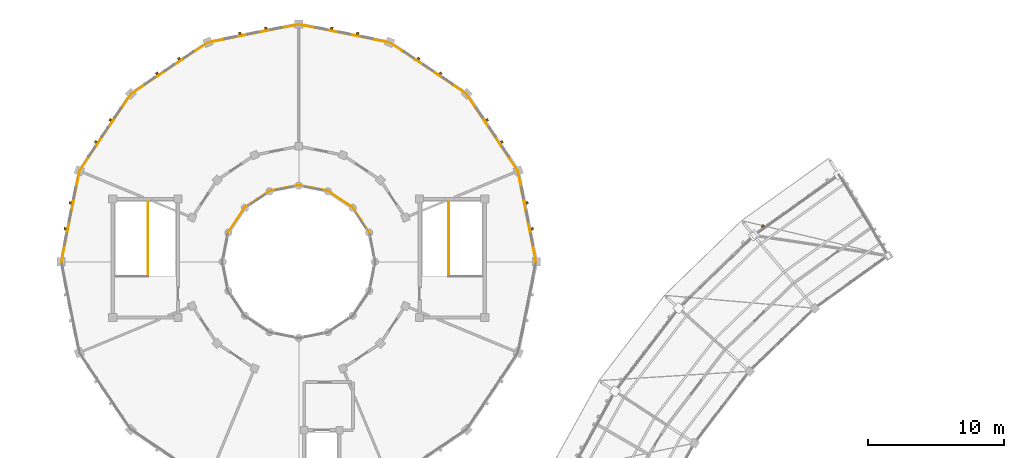
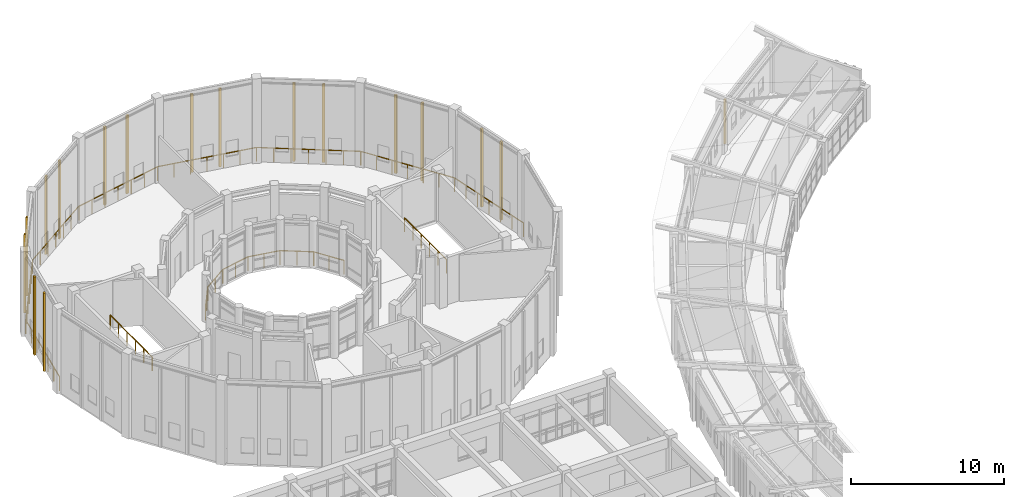
# One storey, part 144 of 149: 17 coverings, 16 railings.
"""IFC4 building model written with IfcOpenShell, lengths in metres."""

from ifc_helpers import new_model, si_unit, direction, frame, origin, origin_2d, place, context, subcontext, project, spatial, rectangle, circle, extrude, material, layer, layer_set, type_object, element, save


model = new_model("IFC4")

# Units and contexts
model_context = context("Model", 3, precision=1e-05, world=origin(), true_north=direction((0.0, 1.0)))
body_context = subcontext(model_context, "Body", "Model", "MODEL_VIEW")
ifc_project = project(units=[si_unit("LENGTHUNIT", "METRE"), si_unit("AREAUNIT", "SQUARE_METRE"), si_unit("VOLUMEUNIT", "CUBIC_METRE"), si_unit("PLANEANGLEUNIT", "RADIAN"), si_unit("MASSUNIT", "GRAM", prefix="KILO")], contexts=[model_context])

# Site, building, storey
site_placement = place(None, origin())
site = spatial("IfcSite", under=ifc_project, at=site_placement, CompositionType="ELEMENT")
building_placement = place(site_placement, origin())
building = spatial("IfcBuilding", under=site, at=building_placement, Name="Celadon Cloister-Ring School", CompositionType="ELEMENT")
storey_placement = place(building_placement, frame((0.0, 0.0, 12.5)))
storey = spatial("IfcBuildingStorey", under=building, at=storey_placement, Name="L03", CompositionType="ELEMENT", Elevation=12.5)

# Coverings
ifc_material_1 = material(Name="Perforated terracotta clay brick masonry", Category="masonry")
ifc_layer = layer(ifc_material_1, 0.139892578125)
ifc_layer_set = layer_set([ifc_layer], Name="Perforated terracotta clay brick masonry")
covering_type = type_object("IfcCoveringType", Name="CV-SC1", PredefinedType="CLADDING", material=ifc_layer_set)
covering_placement = place(storey_placement, frame((54.35400390625, 99.6240234375, -0.00048828125), z_axis=(0.0, 0.0, 1.0), x_axis=(0.813415600856, 0.581682955126, 0.0)))
element("IfcCovering", 1, at=covering_placement, inside=storey, type_object=covering_type, Name="Brick Screen Rib 0334", PredefinedType="CLADDING", context=body_context, shape_type="SweptSolid", body=[
    extrude(rectangle(XDim=0.179931640625, YDim=0.139892578125, at=origin_2d()), origin(), (0.0, 0.0, 1.0), 3.51708984375),
])
for number, where, z_axis, x_axis, name in (
    (2, (37.01708984375, 101.339111328125, 0.0), (0.0, 0.0, 1.0), (0.195141675546, -0.980775064153, 0.0), "Brick Screen Rib 0536"),
    (3, (37.39794921875, 99.427001953125, 0.0), (0.0, 0.0, 1.0), (0.195141675546, -0.980775064153, 0.0), "Brick Screen Rib 0537"),
    (4, (34.075927734375, 107.444091796875, 0.0), (0.0, 0.0, 1.0), (0.55567181205, -0.831401730389, 0.0), "Brick Screen Rib 0538"),
    (5, (35.159912109375, 105.822998046875, 0.0), (0.0, 0.0, 1.0), (0.55567181205, -0.831401730389, 0.0), "Brick Screen Rib 0539"),
    (6, (29.02294921875, 111.9599609375, 0.0), (0.0, 0.0, 1.0), (0.831401730389, -0.55567181205, 0.0), "Brick Screen Rib 0540"),
    (7, (30.64404296875, 110.8759765625, 0.0), (0.0, 0.0, 1.0), (0.831401730389, -0.55567181205, 0.0), "Brick Screen Rib 0541"),
    (8, (22.626953125, 114.197998046875, 0.0), (0.0, 0.0, 1.0), (0.980775064153, -0.195141675546, 0.0), "Brick Screen Rib 0542"),
    (9, (24.5390625, 113.81689453125, 0.0), (0.0, 0.0, 1.0), (0.980775064153, -0.195141675546, 0.0), "Brick Screen Rib 0543"),
    (10, (15.861083984375, 113.81689453125, 0.0), (0.0, 0.0, 1.0), (0.980775064153, 0.195141675546, 0.0), "Brick Screen Rib 0544"),
    (11, (17.77294921875, 114.197998046875, 0.0), (0.0, 0.0, 1.0), (0.980775064153, 0.195141675546, 0.0), "Brick Screen Rib 0545"),
    (12, (9.756103515625, 110.8759765625, 0.0), (0.0, 0.0, 1.0), (0.831401730389, 0.55567181205, 0.0), "Brick Screen Rib 0546"),
    (13, (11.376953125, 111.9599609375, 0.0), (0.0, 0.0, 1.0), (0.831401730389, 0.55567181205, 0.0), "Brick Screen Rib 0547"),
    (14, (5.239990234375, 105.822998046875, 0.0), (0.0, 0.0, 1.0), (0.55567181205, 0.831401730389, 0.0), "Brick Screen Rib 0548"),
    (15, (6.323974609375, 107.444091796875, 0.0), (0.0, 0.0, 1.0), (0.55567181205, 0.831401730389, 0.0), "Brick Screen Rib 0549"),
    (16, (3.001953125, 99.427001953125, 0.0), (0.0, 0.0, 1.0), (0.195141675546, 0.980775064153, 0.0), "Brick Screen Rib 0550"),
    (17, (3.383056640625, 101.339111328125, 0.0), (0.0, 0.0, 1.0), (0.195141675546, 0.980775064153, 0.0), "Brick Screen Rib 0551"),
):
    element("IfcCovering", number, at=place(storey_placement, frame(where, z_axis=z_axis, x_axis=x_axis)), inside=storey, type_object=covering_type, Name=name, PredefinedType="CLADDING", context=body_context, shape_type="SweptSolid", body=[
        extrude(rectangle(XDim=0.179931640625, YDim=0.139892578125, at=origin_2d()), origin(), (0.0, 0.0, 1.0), 6.22998046875),
    ])

# Railings
ifc_material_2 = material(Name="Structural steel S355JR", Category="steel")
railing_type_1 = type_object("IfcRailingType", Name="RL-BL1", PredefinedType="BALUSTRADE", material=ifc_material_2)
railing_1_placement = place(storey_placement, frame((37.659912109375, 97.0, 0.0)))
element("IfcRailing", 18, at=railing_1_placement, inside=storey, type_object=railing_type_1, Name="Terrace Balustrade 0281", PredefinedType="BALUSTRADE", context=body_context, shape_type="SweptSolid", body=[
    extrude(circle(Radius=0.02392578125, at=origin_2d()), frame((0.0, 0.0, 1.09619140625), z_axis=(-0.19505472673, 0.980792360074, 0.0), x_axis=(-0.980792360074, -0.19505472673, 0.0)), (0.0, 0.0, 1.0), 6.812744140625),
    extrude(circle(Radius=0.02099609375, at=origin_2d()), origin(), (0.0, 0.0, 1.0), 1.072021484375),
    extrude(circle(Radius=0.02099609375, at=origin_2d()), frame((-0.221435546875, 1.11376953125, 0.0)), (0.0, 0.0, 1.0), 1.072021484375),
    extrude(circle(Radius=0.02099609375, at=origin_2d()), frame((-0.44287109375, 2.227294921875, 0.0)), (0.0, 0.0, 1.0), 1.072021484375),
    extrude(circle(Radius=0.02099609375, at=origin_2d()), frame((-0.66455078125, 3.3408203125, 0.0)), (0.0, 0.0, 1.0), 1.072021484375),
    extrude(circle(Radius=0.02099609375, at=origin_2d()), frame((-0.885986328125, 4.45458984375, 0.0)), (0.0, 0.0, 1.0), 1.072021484375),
    extrude(circle(Radius=0.02099609375, at=origin_2d()), frame((-1.107421875, 5.568359375, 0.0)), (0.0, 0.0, 1.0), 1.072021484375),
    extrude(circle(Radius=0.02099609375, at=origin_2d()), frame((-1.328857421875, 6.681884765625, 0.0)), (0.0, 0.0, 1.0), 1.072021484375),
])
railing_2_placement = place(storey_placement, frame((36.3310546875, 103.681884765625, 0.0)))
element("IfcRailing", 19, at=railing_2_placement, inside=storey, type_object=railing_type_1, Name="Terrace Balustrade 0282", PredefinedType="BALUSTRADE", context=body_context, shape_type="SweptSolid", body=[
    extrude(circle(Radius=0.02392578125, at=origin_2d()), frame((0.0, 0.0, 1.09619140625), z_axis=(-0.555626116577, 0.831432269387, 0.0), x_axis=(-0.831432269387, -0.555626116577, 0.0)), (0.0, 0.0, 1.0), 6.8125),
    extrude(circle(Radius=0.02099609375, at=origin_2d()), origin(), (0.0, 0.0, 1.0), 1.072021484375),
    extrude(circle(Radius=0.02099609375, at=origin_2d()), frame((-0.630859375, 0.944091796875, 0.0)), (0.0, 0.0, 1.0), 1.072021484375),
    extrude(circle(Radius=0.02099609375, at=origin_2d()), frame((-1.26171875, 1.887939453125, 0.0)), (0.0, 0.0, 1.0), 1.072021484375),
    extrude(circle(Radius=0.02099609375, at=origin_2d()), frame((-1.892578125, 2.83203125, 0.0)), (0.0, 0.0, 1.0), 1.072021484375),
    extrude(circle(Radius=0.02099609375, at=origin_2d()), frame((-2.5234375, 3.776123046875, 0.0)), (0.0, 0.0, 1.0), 1.072021484375),
    extrude(circle(Radius=0.02099609375, at=origin_2d()), frame((-3.154296875, 4.719970703125, 0.0)), (0.0, 0.0, 1.0), 1.072021484375),
    extrude(circle(Radius=0.02099609375, at=origin_2d()), frame((-3.78515625, 5.6640625, 0.0)), (0.0, 0.0, 1.0), 1.072021484375),
])
railing_3_placement = place(storey_placement, frame((32.5458984375, 109.345947265625, 0.0)))
element("IfcRailing", 20, at=railing_3_placement, inside=storey, type_object=railing_type_1, Name="Terrace Balustrade 0283", PredefinedType="BALUSTRADE", context=body_context, shape_type="SweptSolid", body=[
    extrude(circle(Radius=0.02392578125, at=origin_2d()), frame((0.0, 0.0, 1.09619140625), z_axis=(-0.831421205096, 0.555642672693, 0.0), x_axis=(-0.555642672693, -0.831421205096, 0.0)), (0.0, 0.0, 1.0), 6.812255859375),
    extrude(circle(Radius=0.02099609375, at=origin_2d()), origin(), (0.0, 0.0, 1.0), 1.072021484375),
    extrude(circle(Radius=0.02099609375, at=origin_2d()), frame((-0.94384765625, 0.630859375, 0.0)), (0.0, 0.0, 1.0), 1.072021484375),
    extrude(circle(Radius=0.02099609375, at=origin_2d()), frame((-1.887939453125, 1.26171875, 0.0)), (0.0, 0.0, 1.0), 1.072021484375),
    extrude(circle(Radius=0.02099609375, at=origin_2d()), frame((-2.83203125, 1.892578125, 0.0)), (0.0, 0.0, 1.0), 1.072021484375),
    extrude(circle(Radius=0.02099609375, at=origin_2d()), frame((-3.77587890625, 2.5234375, 0.0)), (0.0, 0.0, 1.0), 1.072021484375),
    extrude(circle(Radius=0.02099609375, at=origin_2d()), frame((-4.7197265625, 3.154296875, 0.0)), (0.0, 0.0, 1.0), 1.072021484375),
    extrude(circle(Radius=0.02099609375, at=origin_2d()), frame((-5.663818359375, 3.78515625, 0.0)), (0.0, 0.0, 1.0), 1.072021484375),
])
railing_4_placement = place(storey_placement, frame((26.882080078125, 113.131103515625, 0.0)))
element("IfcRailing", 21, at=railing_4_placement, inside=storey, type_object=railing_type_1, Name="Terrace Balustrade 0284", PredefinedType="BALUSTRADE", context=body_context, shape_type="SweptSolid", body=[
    extrude(circle(Radius=0.02392578125, at=origin_2d()), frame((0.0, 0.0, 1.09619140625), z_axis=(-0.980793723427, 0.195047871268, 0.0), x_axis=(-0.195047871268, -0.980793723427, 0.0)), (0.0, 0.0, 1.0), 6.81298828125),
    extrude(circle(Radius=0.02099609375, at=origin_2d()), origin(), (0.0, 0.0, 1.0), 1.072021484375),
    extrude(circle(Radius=0.02099609375, at=origin_2d()), frame((-1.11376953125, 0.221435546875, 0.0)), (0.0, 0.0, 1.0), 1.072021484375),
    extrude(circle(Radius=0.02099609375, at=origin_2d()), frame((-2.227294921875, 0.44287109375, 0.0)), (0.0, 0.0, 1.0), 1.072021484375),
    extrude(circle(Radius=0.02099609375, at=origin_2d()), frame((-3.341064453125, 0.66455078125, 0.0)), (0.0, 0.0, 1.0), 1.072021484375),
    extrude(circle(Radius=0.02099609375, at=origin_2d()), frame((-4.454833984375, 0.885986328125, 0.0)), (0.0, 0.0, 1.0), 1.072021484375),
    extrude(circle(Radius=0.02099609375, at=origin_2d()), frame((-5.568359375, 1.107421875, 0.0)), (0.0, 0.0, 1.0), 1.072021484375),
    extrude(circle(Radius=0.02099609375, at=origin_2d()), frame((-6.68212890625, 1.328857421875, 0.0)), (0.0, 0.0, 1.0), 1.072021484375),
])
railing_5_placement = place(storey_placement, frame((20.199951171875, 114.4599609375, 0.0)))
element("IfcRailing", 22, at=railing_5_placement, inside=storey, type_object=railing_type_1, Name="Terrace Balustrade 0285", PredefinedType="BALUSTRADE", context=body_context, shape_type="SweptSolid", body=[
    extrude(circle(Radius=0.02392578125, at=origin_2d()), frame((0.0, 0.0, 1.09619140625), z_axis=(-0.980792360074, -0.19505472673, 0.0), x_axis=(0.19505472673, -0.980792360074, 0.0)), (0.0, 0.0, 1.0), 6.812744140625),
    extrude(circle(Radius=0.02099609375, at=origin_2d()), origin(), (0.0, 0.0, 1.0), 1.072021484375),
    extrude(circle(Radius=0.02099609375, at=origin_2d()), frame((-1.11376953125, -0.221435546875, 0.0)), (0.0, 0.0, 1.0), 1.072021484375),
    extrude(circle(Radius=0.02099609375, at=origin_2d()), frame((-2.227294921875, -0.44287109375, 0.0)), (0.0, 0.0, 1.0), 1.072021484375),
    extrude(circle(Radius=0.02099609375, at=origin_2d()), frame((-3.3408203125, -0.66455078125, 0.0)), (0.0, 0.0, 1.0), 1.072021484375),
    extrude(circle(Radius=0.02099609375, at=origin_2d()), frame((-4.45458984375, -0.885986328125, 0.0)), (0.0, 0.0, 1.0), 1.072021484375),
    extrude(circle(Radius=0.02099609375, at=origin_2d()), frame((-5.568359375, -1.107421875, 0.0)), (0.0, 0.0, 1.0), 1.072021484375),
    extrude(circle(Radius=0.02099609375, at=origin_2d()), frame((-6.681884765625, -1.328857421875, 0.0)), (0.0, 0.0, 1.0), 1.072021484375),
])
railing_6_placement = place(storey_placement, frame((13.51806640625, 113.131103515625, 0.0)))
element("IfcRailing", 23, at=railing_6_placement, inside=storey, type_object=railing_type_1, Name="Terrace Balustrade 0286", PredefinedType="BALUSTRADE", context=body_context, shape_type="SweptSolid", body=[
    extrude(circle(Radius=0.02392578125, at=origin_2d()), frame((0.0, 0.0, 1.09619140625), z_axis=(-0.831432269387, -0.555626116577, 0.0), x_axis=(0.555626116577, -0.831432269387, 0.0)), (0.0, 0.0, 1.0), 6.8125),
    extrude(circle(Radius=0.02099609375, at=origin_2d()), origin(), (0.0, 0.0, 1.0), 1.072021484375),
    extrude(circle(Radius=0.02099609375, at=origin_2d()), frame((-0.944091796875, -0.630859375, 0.0)), (0.0, 0.0, 1.0), 1.072021484375),
    extrude(circle(Radius=0.02099609375, at=origin_2d()), frame((-1.887939453125, -1.26171875, 0.0)), (0.0, 0.0, 1.0), 1.072021484375),
    extrude(circle(Radius=0.02099609375, at=origin_2d()), frame((-2.83203125, -1.892578125, 0.0)), (0.0, 0.0, 1.0), 1.072021484375),
    extrude(circle(Radius=0.02099609375, at=origin_2d()), frame((-3.776123046875, -2.5234375, 0.0)), (0.0, 0.0, 1.0), 1.072021484375),
    extrude(circle(Radius=0.02099609375, at=origin_2d()), frame((-4.719970703125, -3.154296875, 0.0)), (0.0, 0.0, 1.0), 1.072021484375),
    extrude(circle(Radius=0.02099609375, at=origin_2d()), frame((-5.6640625, -3.78515625, 0.0)), (0.0, 0.0, 1.0), 1.072021484375),
])
railing_7_placement = place(storey_placement, frame((7.85400390625, 109.345947265625, 0.0)))
element("IfcRailing", 24, at=railing_7_placement, inside=storey, type_object=railing_type_1, Name="Terrace Balustrade 0287", PredefinedType="BALUSTRADE", context=body_context, shape_type="SweptSolid", body=[
    extrude(circle(Radius=0.02392578125, at=origin_2d()), frame((0.0, 0.0, 1.09619140625), z_axis=(-0.555601342036, -0.831448825081, 0.0), x_axis=(0.831448825081, -0.555601342036, 0.0)), (0.0, 0.0, 1.0), 6.812255859375),
    extrude(circle(Radius=0.02099609375, at=origin_2d()), origin(), (0.0, 0.0, 1.0), 1.072021484375),
    extrude(circle(Radius=0.02099609375, at=origin_2d()), frame((-0.630859375, -0.944091796875, 0.0)), (0.0, 0.0, 1.0), 1.072021484375),
    extrude(circle(Radius=0.02099609375, at=origin_2d()), frame((-1.26171875, -1.887939453125, 0.0)), (0.0, 0.0, 1.0), 1.072021484375),
    extrude(circle(Radius=0.02099609375, at=origin_2d()), frame((-1.892578125, -2.83203125, 0.0)), (0.0, 0.0, 1.0), 1.072021484375),
    extrude(circle(Radius=0.02099609375, at=origin_2d()), frame((-2.523193359375, -3.776123046875, 0.0)), (0.0, 0.0, 1.0), 1.072021484375),
    extrude(circle(Radius=0.02099609375, at=origin_2d()), frame((-3.154052734375, -4.719970703125, 0.0)), (0.0, 0.0, 1.0), 1.072021484375),
    extrude(circle(Radius=0.02099609375, at=origin_2d()), frame((-3.784912109375, -5.6640625, 0.0)), (0.0, 0.0, 1.0), 1.072021484375),
])
railing_8_placement = place(storey_placement, frame((4.069091796875, 103.681884765625, 0.0)))
element("IfcRailing", 25, at=railing_8_placement, inside=storey, type_object=railing_type_1, Name="Terrace Balustrade 0288", PredefinedType="BALUSTRADE", context=body_context, shape_type="SweptSolid", body=[
    extrude(circle(Radius=0.02392578125, at=origin_2d()), frame((0.0, 0.0, 1.09619140625), z_axis=(-0.19508919883, -0.980785503818, 0.0), x_axis=(0.980785503818, -0.19508919883, 0.0)), (0.0, 0.0, 1.0), 6.812744140625),
    extrude(circle(Radius=0.02099609375, at=origin_2d()), origin(), (0.0, 0.0, 1.0), 1.072021484375),
    extrude(circle(Radius=0.02099609375, at=origin_2d()), frame((-0.221435546875, -1.11376953125, 0.0)), (0.0, 0.0, 1.0), 1.072021484375),
    extrude(circle(Radius=0.02099609375, at=origin_2d()), frame((-0.443115234375, -2.227294921875, 0.0)), (0.0, 0.0, 1.0), 1.072021484375),
    extrude(circle(Radius=0.02099609375, at=origin_2d()), frame((-0.66455078125, -3.3408203125, 0.0)), (0.0, 0.0, 1.0), 1.072021484375),
    extrude(circle(Radius=0.02099609375, at=origin_2d()), frame((-0.885986328125, -4.45458984375, 0.0)), (0.0, 0.0, 1.0), 1.072021484375),
    extrude(circle(Radius=0.02099609375, at=origin_2d()), frame((-1.107666015625, -5.568359375, 0.0)), (0.0, 0.0, 1.0), 1.072021484375),
    extrude(circle(Radius=0.02099609375, at=origin_2d()), frame((-1.3291015625, -6.681884765625, 0.0)), (0.0, 0.0, 1.0), 1.072021484375),
])
railing_9_placement = place(storey_placement, frame((25.410888671875, 99.157958984375, 0.0)))
element("IfcRailing", 26, at=railing_9_placement, inside=storey, type_object=railing_type_1, Name="Terrace Balustrade 0298", PredefinedType="BALUSTRADE", context=body_context, shape_type="SweptSolid", body=[
    extrude(circle(Radius=0.02392578125, at=origin_2d()), frame((0.0, 0.0, 1.09619140625), z_axis=(-0.555595762933, 0.831452553193, 0.0), x_axis=(-0.831452553193, -0.555595762933, 0.0)), (0.0, 0.0, 1.0), 2.201171875),
    extrude(circle(Radius=0.02099609375, at=origin_2d()), origin(), (0.0, 0.0, 1.0), 1.072021484375),
    extrude(circle(Radius=0.02099609375, at=origin_2d()), frame((-0.611328125, 0.9150390625, 0.0)), (0.0, 0.0, 1.0), 1.072021484375),
    extrude(circle(Radius=0.02099609375, at=origin_2d()), frame((-1.222900390625, 1.830078125, 0.0)), (0.0, 0.0, 1.0), 1.072021484375),
])
railing_10_placement = place(storey_placement, frame((24.18798828125, 100.988037109375, 0.0)))
element("IfcRailing", 27, at=railing_10_placement, inside=storey, type_object=railing_type_1, Name="Terrace Balustrade 0299", PredefinedType="BALUSTRADE", context=body_context, shape_type="SweptSolid", body=[
    extrude(circle(Radius=0.02392578125, at=origin_2d()), frame((0.0, 0.0, 1.09619140625), z_axis=(-0.831452553193, 0.555595762933, 0.0), x_axis=(-0.555595762933, -0.831452553193, 0.0)), (0.0, 0.0, 1.0), 2.201171875),
    extrude(circle(Radius=0.02099609375, at=origin_2d()), origin(), (0.0, 0.0, 1.0), 1.072021484375),
    extrude(circle(Radius=0.02099609375, at=origin_2d()), frame((-0.9150390625, 0.611328125, 0.0)), (0.0, 0.0, 1.0), 1.072021484375),
    extrude(circle(Radius=0.02099609375, at=origin_2d()), frame((-1.830078125, 1.222900390625, 0.0)), (0.0, 0.0, 1.0), 1.072021484375),
])
railing_11_placement = place(storey_placement, frame((22.35791015625, 102.2109375, 0.0)))
element("IfcRailing", 28, at=railing_11_placement, inside=storey, type_object=railing_type_1, Name="Terrace Balustrade 0300", PredefinedType="BALUSTRADE", context=body_context, shape_type="SweptSolid", body=[
    extrude(circle(Radius=0.02392578125, at=origin_2d()), frame((0.0, 0.0, 1.09619140625), z_axis=(-0.980810462238, 0.194963681655, 0.0), x_axis=(-0.194963681655, -0.980810462238, 0.0)), (0.0, 0.0, 1.0), 2.2001953125),
    extrude(circle(Radius=0.02099609375, at=origin_2d()), origin(), (0.0, 0.0, 1.0), 1.072021484375),
    extrude(circle(Radius=0.02099609375, at=origin_2d()), frame((-1.0791015625, 0.21435546875, 0.0)), (0.0, 0.0, 1.0), 1.072021484375),
    extrude(circle(Radius=0.02099609375, at=origin_2d()), frame((-2.157958984375, 0.428955078125, 0.0)), (0.0, 0.0, 1.0), 1.072021484375),
])
railing_12_placement = place(storey_placement, frame((20.199951171875, 102.639892578125, 0.0)))
element("IfcRailing", 29, at=railing_12_placement, inside=storey, type_object=railing_type_1, Name="Terrace Balustrade 0301", PredefinedType="BALUSTRADE", context=body_context, shape_type="SweptSolid", body=[
    extrude(circle(Radius=0.02392578125, at=origin_2d()), frame((0.0, 0.0, 1.09619140625), z_axis=(-0.980810462238, -0.194963681655, 0.0), x_axis=(0.194963681655, -0.980810462238, 0.0)), (0.0, 0.0, 1.0), 2.2001953125),
    extrude(circle(Radius=0.02099609375, at=origin_2d()), origin(), (0.0, 0.0, 1.0), 1.072021484375),
    extrude(circle(Radius=0.02099609375, at=origin_2d()), frame((-1.0791015625, -0.21435546875, 0.0)), (0.0, 0.0, 1.0), 1.072021484375),
    extrude(circle(Radius=0.02099609375, at=origin_2d()), frame((-2.157958984375, -0.428955078125, 0.0)), (0.0, 0.0, 1.0), 1.072021484375),
])
railing_13_placement = place(storey_placement, frame((18.0419921875, 102.2109375, 0.0)))
element("IfcRailing", 30, at=railing_13_placement, inside=storey, type_object=railing_type_1, Name="Terrace Balustrade 0302", PredefinedType="BALUSTRADE", context=body_context, shape_type="SweptSolid", body=[
    extrude(circle(Radius=0.02392578125, at=origin_2d()), frame((0.0, 0.0, 1.09619140625), z_axis=(-0.831452553193, -0.555595762933, 0.0), x_axis=(0.555595762933, -0.831452553193, 0.0)), (0.0, 0.0, 1.0), 2.201171875),
    extrude(circle(Radius=0.02099609375, at=origin_2d()), origin(), (0.0, 0.0, 1.0), 1.072021484375),
    extrude(circle(Radius=0.02099609375, at=origin_2d()), frame((-0.9150390625, -0.611328125, 0.0)), (0.0, 0.0, 1.0), 1.072021484375),
    extrude(circle(Radius=0.02099609375, at=origin_2d()), frame((-1.830078125, -1.222900390625, 0.0)), (0.0, 0.0, 1.0), 1.072021484375),
])
railing_14_placement = place(storey_placement, frame((16.2119140625, 100.988037109375, 0.0)))
element("IfcRailing", 31, at=railing_14_placement, inside=storey, type_object=railing_type_1, Name="Terrace Balustrade 0303", PredefinedType="BALUSTRADE", context=body_context, shape_type="SweptSolid", body=[
    extrude(circle(Radius=0.02392578125, at=origin_2d()), frame((0.0, 0.0, 1.09619140625), z_axis=(-0.555595762933, -0.831452553193, 0.0), x_axis=(0.831452553193, -0.555595762933, 0.0)), (0.0, 0.0, 1.0), 2.201171875),
    extrude(circle(Radius=0.02099609375, at=origin_2d()), origin(), (0.0, 0.0, 1.0), 1.072021484375),
    extrude(circle(Radius=0.02099609375, at=origin_2d()), frame((-0.611328125, -0.9150390625, 0.0)), (0.0, 0.0, 1.0), 1.072021484375),
    extrude(circle(Radius=0.02099609375, at=origin_2d()), frame((-1.222900390625, -1.830078125, 0.0)), (0.0, 0.0, 1.0), 1.072021484375),
])
ifc_material_3 = material(Name="Structural steel S355JR", Category="steel")
railing_type_2 = type_object("IfcRailingType", Name="RL-BL2", PredefinedType="BALUSTRADE", material=ifc_material_3)
for number, where, name in (
    (32, (9.10009765625, 95.9150390625, 0.0), "Interior Guard 0133"),
    (33, (31.239990234375, 95.9150390625, 0.0), "Interior Guard 0154"),
):
    element("IfcRailing", number, at=place(storey_placement, frame(where)), inside=storey, type_object=railing_type_2, Name=name, PredefinedType="BALUSTRADE", context=body_context, shape_type="SweptSolid", body=[
        extrude(circle(Radius=0.02392578125, at=origin_2d()), frame((0.0, 0.0, 1.09619140625), z_axis=(0.0, 1.0, 0.0), x_axis=(-1.0, 0.0, 0.0)), (0.0, 0.0, 1.0), 5.46484375),
        extrude(circle(Radius=0.02099609375, at=origin_2d()), origin(), (0.0, 0.0, 1.0), 1.072021484375),
        extrude(circle(Radius=0.02099609375, at=origin_2d()), frame((0.0, 1.093017578125, 0.0)), (0.0, 0.0, 1.0), 1.072021484375),
        extrude(circle(Radius=0.02099609375, at=origin_2d()), frame((0.0, 2.18603515625, 0.0)), (0.0, 0.0, 1.0), 1.072021484375),
        extrude(circle(Radius=0.02099609375, at=origin_2d()), frame((0.0, 3.27880859375, 0.0)), (0.0, 0.0, 1.0), 1.072021484375),
        extrude(circle(Radius=0.02099609375, at=origin_2d()), frame((0.0, 4.371826171875, 0.0)), (0.0, 0.0, 1.0), 1.072021484375),
        extrude(circle(Radius=0.02099609375, at=origin_2d()), frame((0.0, 5.46484375, 0.0)), (0.0, 0.0, 1.0), 1.072021484375),
    ])

save(model, "model.ifc")
